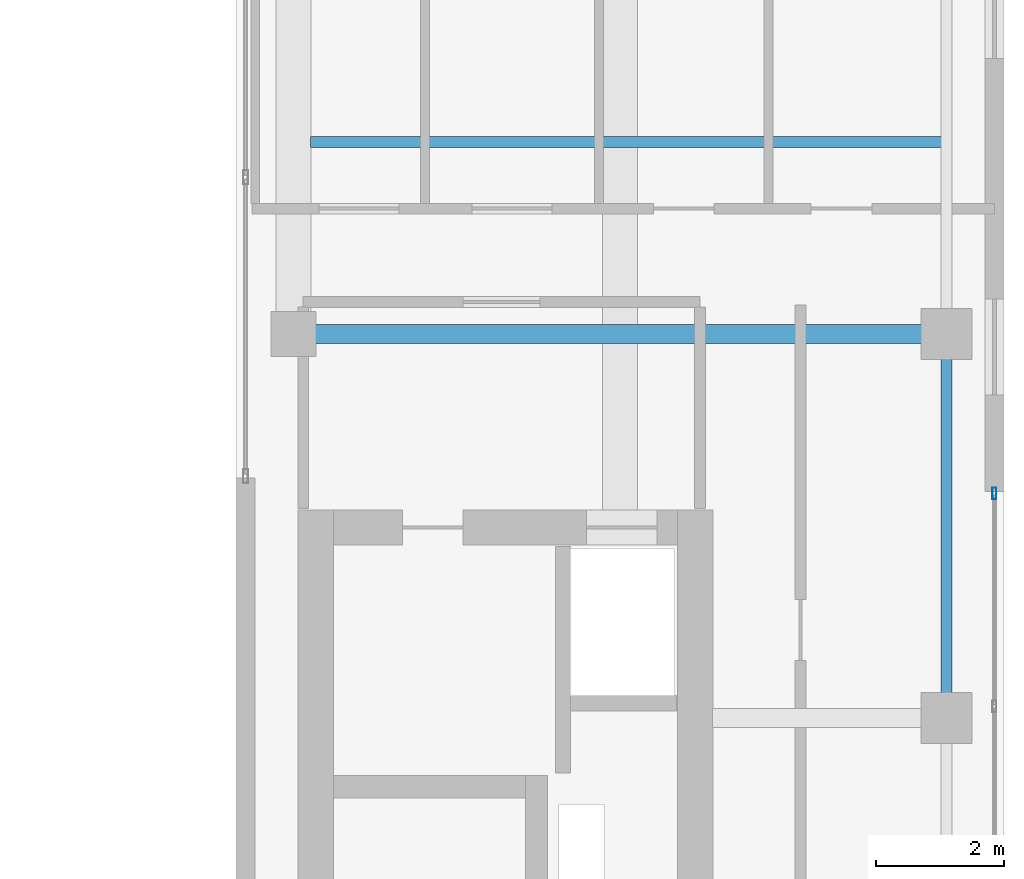
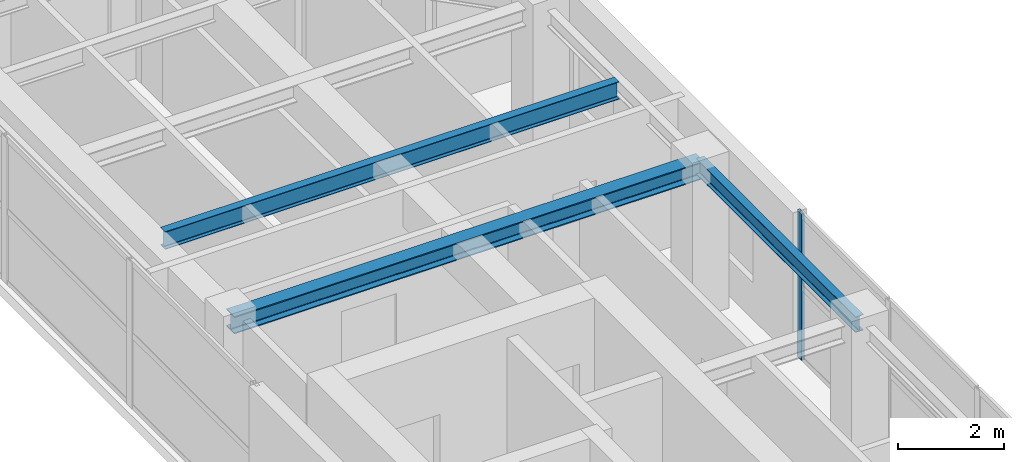
# One storey, part 12 of 22: 3 beams, 1 member, 1 element without a shape of its own.
"""IFC4 building model written with IfcOpenShell, lengths in metres."""

import ifcopenshell
import ifcopenshell.guid

model = None  # the IFC model being written
_history = None  # IfcOwnerHistory: only IFC2X3 demands one
_inside = {}  # id of a spatial element -> (the spatial element, [elements in it])
_under = {}  # id of a project, library or spatial element -> (it, [spatial elements below it])
_declared = {}  # id of a project -> (the project, [libraries it declares])
_typed = {}  # id of a type object -> (the type object, [elements of that type])
_made_of = {}  # id of a material, layer set ... -> (it, [elements and type objects made of it])


def new_model(schema):
    """Start an empty IFC model of exactly this schema.

    Asked for "IFC4X3", IfcOpenShell would pick the latest addendum, in which some entities
    have other attributes; the version numbers below select the first issue.
    IFC2X3 requires an IfcOwnerHistory on every rooted entity: one is made here for all.
    """
    global model, _history
    if schema == "IFC4X3":
        model = ifcopenshell.file(schema_version=(4, 3, 0, 0))
    else:
        model = ifcopenshell.file(schema=schema)
    _inside.clear()
    _under.clear()
    _declared.clear()
    _typed.clear()
    _made_of.clear()
    _history = None
    if model.schema == "IFC2X3":
        org = make("IfcOrganization", Name="unknown")
        user = make(
            "IfcPersonAndOrganization",
            ThePerson=make("IfcPerson", FamilyName="unknown"),
            TheOrganization=org,
        )
        app = make(
            "IfcApplication",
            ApplicationDeveloper=org,
            Version="unknown",
            ApplicationFullName="unknown",
            ApplicationIdentifier="unknown",
        )
        _history = make(
            "IfcOwnerHistory",
            OwningUser=user,
            OwningApplication=app,
            ChangeAction="ADDED",
            CreationDate=0,
        )
    return model


def make(cls, **values):
    """One entity of the class cls with the attributes given. An attribute that is None is left unset."""
    return model.create_entity(
        cls, **{name: value for name, value in values.items() if value is not None}
    )


def rooted(cls, **values):
    """An entity with a GlobalId (a new one), such as an element, a storey or a relation."""
    return make(cls, GlobalId=ifcopenshell.guid.new(), OwnerHistory=_history, **values)


def si_unit(unit_type, name, prefix=None):
    """IfcSIUnit, for example si_unit("LENGTHUNIT", "METRE", prefix="MILLI")."""
    return make("IfcSIUnit", UnitType=unit_type, Prefix=prefix, Name=name)


def assignment(units):
    """IfcUnitAssignment: the units of a project."""
    return None if units is None else make("IfcUnitAssignment", Units=units)


def point(xyz):
    """IfcCartesianPoint."""
    return None if xyz is None else make("IfcCartesianPoint", Coordinates=xyz)


def direction(xyz):
    """IfcDirection."""
    return None if xyz is None else make("IfcDirection", DirectionRatios=xyz)


def frame(location, z_axis=None, x_axis=None):
    """IfcAxis2Placement3D, a coordinate frame: its origin and axes. An axis left out is left unset."""
    return make(
        "IfcAxis2Placement3D",
        Location=point(location),
        Axis=direction(z_axis),
        RefDirection=direction(x_axis),
    )


def frame_2d(location, x_axis=None):
    """IfcAxis2Placement2D, a coordinate frame in the plane: its origin and x axis."""
    return make(
        "IfcAxis2Placement2D", Location=point(location), RefDirection=direction(x_axis)
    )


def origin():
    """The frame at (0, 0, 0) with its axes left unset."""
    return frame((0.0, 0.0, 0.0))


def origin_2d():
    """The frame at (0, 0) in the plane with its x axis left unset."""
    return frame_2d((0.0, 0.0))


def place(relative_to, where):
    """IfcLocalPlacement: puts the frame where relative to a parent placement (None: the world)."""
    return make(
        "IfcLocalPlacement", PlacementRelTo=relative_to, RelativePlacement=where
    )


def context(
    kind, dimensions, precision=None, world=None, true_north=None, identifier=None
):
    """IfcGeometricRepresentationContext, for example the 3D "Model" context."""
    return make(
        "IfcGeometricRepresentationContext",
        ContextIdentifier=identifier,
        ContextType=kind,
        CoordinateSpaceDimension=dimensions,
        Precision=precision,
        WorldCoordinateSystem=world,
        TrueNorth=true_north,
    )


def subcontext(parent, identifier, kind, view, scale=None):
    """IfcGeometricRepresentationSubContext, for example "Body" below "Model"."""
    return make(
        "IfcGeometricRepresentationSubContext",
        ContextIdentifier=identifier,
        ContextType=kind,
        ParentContext=parent,
        TargetScale=scale,
        TargetView=view,
    )


def project(units=None, contexts=None):
    """IfcProject with its units and contexts."""
    return rooted(
        "IfcProject",
        Name="project",
        RepresentationContexts=contexts,
        UnitsInContext=assignment(units),
    )


def spatial(cls, under=None, at=None, **own):
    """A site, building, storey or space (cls), placed at a placement, below another one or the project."""
    s = rooted(cls, ObjectPlacement=at, **own)
    if under is not None:
        _under.setdefault(under.id(), (under, []))[1].append(s)
    return s


def profile(cls, at=None, kind="AREA", **sizes):
    """A parametric profile (cls). Its sizes go by their IFC names, for example OverallWidth=200.0."""
    return make(cls, ProfileType=kind, Position=at, **sizes)


def hollow_rectangle(**sizes):
    """IfcRectangleHollowProfileDef."""
    return profile("IfcRectangleHollowProfileDef", **sizes)


def i_section(**sizes):
    """IfcIShapeProfileDef."""
    return profile("IfcIShapeProfileDef", **sizes)


def extrude(swept, where, along, depth):
    """IfcExtrudedAreaSolid: the profile swept, set in the frame where, extruded along a direction by depth."""
    return make(
        "IfcExtrudedAreaSolid",
        SweptArea=swept,
        Position=where,
        ExtrudedDirection=direction(along),
        Depth=depth,
    )


def shape(context_of_items, identifier, shape_type, items):
    """IfcShapeRepresentation: the items that make up one representation, for example the "Body"."""
    return make(
        "IfcShapeRepresentation",
        ContextOfItems=context_of_items,
        RepresentationIdentifier=identifier,
        RepresentationType=shape_type,
        Items=items,
    )


def source(mapping_origin, context_of_items, identifier, shape_type, items):
    """IfcRepresentationMap: a shape defined once, which mapped items show again and again."""
    return make(
        "IfcRepresentationMap",
        MappingOrigin=mapping_origin,
        MappedRepresentation=shape(context_of_items, identifier, shape_type, items),
    )


def transform(
    local_origin,
    x_axis=None,
    y_axis=None,
    z_axis=None,
    scale=None,
    scale2=None,
    scale3=None,
    uniform=True,
):
    """IfcCartesianTransformationOperator3D, or its non-uniform kind. x_axis, y_axis, z_axis: its Axis1, 2, 3."""
    if uniform:
        return make(
            "IfcCartesianTransformationOperator3D",
            Axis1=direction(x_axis),
            Axis2=direction(y_axis),
            LocalOrigin=point(local_origin),
            Scale=scale,
            Axis3=direction(z_axis),
        )
    return make(
        "IfcCartesianTransformationOperator3DnonUniform",
        Axis1=direction(x_axis),
        Axis2=direction(y_axis),
        LocalOrigin=point(local_origin),
        Scale=scale,
        Axis3=direction(z_axis),
        Scale2=scale2,
        Scale3=scale3,
    )


def mapped(mapping_source, mapping_target):
    """IfcMappedItem: shows the shape of a source again, moved by a transform."""
    return make(
        "IfcMappedItem", MappingSource=mapping_source, MappingTarget=mapping_target
    )


def material(Name=None, Category=None):
    """IfcMaterial."""
    return make("IfcMaterial", Name=Name, Category=Category)


def layer(
    of_material, thickness, ventilated=None, Name=None, Category=None, Priority=None
):
    """IfcMaterialLayer: one layer of a wall or slab, of a material (None: an air gap)."""
    return make(
        "IfcMaterialLayer",
        Material=of_material,
        LayerThickness=thickness,
        IsVentilated=ventilated,
        Name=Name,
        Category=Category,
        Priority=Priority,
    )


def layer_set(layers, Name=None):
    """IfcMaterialLayerSet."""
    return make("IfcMaterialLayerSet", MaterialLayers=layers, LayerSetName=Name)


def material_profile(
    of_material, cross_section, Name=None, Category=None, Priority=None
):
    """IfcMaterialProfile: a cross section and its material."""
    return make(
        "IfcMaterialProfile",
        Name=Name,
        Material=of_material,
        Profile=cross_section,
        Priority=Priority,
        Category=Category,
    )


def profile_set(profiles, Name=None, composite=None):
    """IfcMaterialProfileSet."""
    return make(
        "IfcMaterialProfileSet",
        Name=Name,
        MaterialProfiles=profiles,
        CompositeProfile=composite,
    )


def made_of(thing, what):
    """Note that an element or type object is made of a material, layer set ...; save() writes the relation."""
    if what is not None:
        _made_of.setdefault(what.id(), (what, []))[1].append(thing)
    return thing


def type_object(cls, material=None, **own):
    """A type object (cls), such as IfcWallType, which elements share."""
    return made_of(rooted(cls, **own), material)


def element(
    cls,
    number,
    at=None,
    inside=None,
    cuts=None,
    type_object=None,
    material=None,
    context=None,
    identifier="Body",
    shape_type=None,
    held_by="IfcProductDefinitionShape",
    body=None,
    shapes=None,
    **own,
):
    """One element of the class cls, such as IfcWall. Its Tag is "e" and its number.

    at: its placement. inside: the storey or other place that contains it. cuts: it is an
    opening in that element (IfcRelVoidsElement). A single representation is given by context,
    identifier, shape_type and body (its items); several are given by shapes. held_by: the class
    of the entity that holds the representations. save() writes the other relations.
    """
    e = rooted(cls, Tag="e%d" % number, ObjectPlacement=at, **own)
    if body is not None:
        shapes = [shape(context, identifier, shape_type, body)]
    if shapes is not None:
        e.Representation = make(held_by, Representations=shapes)
    if inside is not None:
        _inside.setdefault(inside.id(), (inside, []))[1].append(e)
    if cuts is not None:
        rooted(
            "IfcRelVoidsElement", RelatingBuildingElement=cuts, RelatedOpeningElement=e
        )
    if type_object is not None:
        _typed.setdefault(type_object.id(), (type_object, []))[1].append(e)
    return made_of(e, material)


def aggregate(whole, parts):
    """IfcRelAggregates: a whole, such as a stair, and the parts it consists of."""
    return rooted("IfcRelAggregates", RelatingObject=whole, RelatedObjects=parts)


def save(model, path):
    """Write the relations noted so far, then the file.

    IfcRelAggregates (storeys below a building ...), IfcRelContainedInSpatialStructure (elements
    in a storey), IfcRelDefinesByType, IfcRelAssociatesMaterial and IfcRelDeclares: one each for
    every whole, place, type object, material and project.
    """
    for whole, parts in _under.values():
        aggregate(whole, parts)
    for where, things in _inside.values():
        rooted(
            "IfcRelContainedInSpatialStructure",
            RelatedElements=things,
            RelatingStructure=where,
        )
    for kind, things in _typed.values():
        rooted("IfcRelDefinesByType", RelatedObjects=things, RelatingType=kind)
    for what, things in _made_of.values():
        rooted("IfcRelAssociatesMaterial", RelatedObjects=things, RelatingMaterial=what)
    for by, libraries in _declared.values():
        rooted("IfcRelDeclares", RelatingContext=by, RelatedDefinitions=libraries)
    model.write(path)


model = new_model("IFC4")

# Units and contexts
model_context = context("Model", 3, precision=1e-05, world=origin(), true_north=direction((0.0, 1.0)))
body_context = subcontext(model_context, "Body", "Model", "MODEL_VIEW")
ifc_project = project(units=[si_unit("LENGTHUNIT", "METRE"), si_unit("AREAUNIT", "SQUARE_METRE"), si_unit("VOLUMEUNIT", "CUBIC_METRE"), si_unit("PLANEANGLEUNIT", "RADIAN"), si_unit("MASSUNIT", "GRAM", prefix="KILO")], contexts=[model_context])

# Site, building, storey
site_placement = place(None, origin())
site = spatial("IfcSite", under=ifc_project, at=site_placement, CompositionType="ELEMENT")
building_placement = place(site_placement, origin())
building = spatial("IfcBuilding", under=site, at=building_placement, Name="Khoralis Quay Care Tower", CompositionType="ELEMENT")
storey_placement = place(building_placement, frame((0.0, 0.0, 260.10009765625)))
storey = spatial("IfcBuildingStorey", under=building, at=storey_placement, Name="L68", CompositionType="ELEMENT", Elevation=260.10009765625)

# Beams
ifc_material_1 = material(Name="Steel S355", Category="steel")
ifc_material_profile_1 = material_profile(ifc_material_1, i_section(OverallWidth=0.169921875, OverallDepth=0.360107421875, WebThickness=0.008056640625, FlangeThickness=0.0126953125, FilletRadius=0.01806640625, at=origin_2d()), Name="Steel S355")
ifc_profile_set_1 = profile_set([ifc_material_profile_1], Name="Steel S355")
beam_type_1 = type_object("IfcBeamType", Name="BM-IPE360", PredefinedType="SPANDREL", material=ifc_profile_set_1)
shared_shape_1 = source(origin(), body_context, "Body", "SweptSolid", [
    extrude(i_section(OverallWidth=0.169921875, OverallDepth=0.360107421875, WebThickness=0.008056640625, FlangeThickness=0.0126953125, FilletRadius=0.01806640625, at=origin_2d()), origin(), (0.0, 0.0, 1.0), 6.0),
])
beam_1_placement = place(storey_placement, frame((41.10009765625, 24.0, 3.179931640625), z_axis=(0.0, 1.0, 0.0), x_axis=(-1.0, 0.0, 0.0)))
element("IfcBeam", 1, at=beam_1_placement, inside=storey, type_object=beam_type_1, Name="BM-TSP-L68-11", PredefinedType="SPANDREL", context=body_context, shape_type="MappedRepresentation", body=[
    mapped(shared_shape_1, transform((0.0, 0.0, 0.0), scale=1.0)),
])
ifc_material_profile_2 = material_profile(ifc_material_1, i_section(OverallWidth=0.300048828125, OverallDepth=0.39990234375, WebThickness=0.013427734375, FlangeThickness=0.02392578125, FilletRadius=0.027099609375, at=origin_2d()), Name="Steel S355")
ifc_profile_set_2 = profile_set([ifc_material_profile_2], Name="Steel S355")
beam_type_2 = type_object("IfcBeamType", Name="BM-HEB400", PredefinedType="BEAM", material=ifc_profile_set_2)
shared_shape_2 = source(origin(), body_context, "Body", "SweptSolid", [
    extrude(i_section(OverallWidth=0.300048828125, OverallDepth=0.39990234375, WebThickness=0.013427734375, FlangeThickness=0.02392578125, FilletRadius=0.027099609375, at=origin_2d()), origin(), (0.0, 0.0, 1.0), 10.2001953125),
])
beam_2_placement = place(storey_placement, frame((30.89990234375, 30.0, 3.159912109375), z_axis=(1.0, 0.0, 0.0), x_axis=(0.0, 1.0, 0.0)))
element("IfcBeam", 2, at=beam_2_placement, inside=storey, type_object=beam_type_2, Name="BM-TGXE-L68-300", PredefinedType="BEAM", context=body_context, shape_type="MappedRepresentation", body=[
    mapped(shared_shape_2, transform((0.0, 0.0, 0.0), scale=1.0)),
])
ifc_material_profile_3 = material_profile(ifc_material_1, i_section(OverallWidth=0.177978515625, OverallDepth=0.406982421875, WebThickness=0.0078125, FlangeThickness=0.0126953125, FilletRadius=0.012939453125, at=origin_2d()), Name="Steel S355")
ifc_profile_set_3 = profile_set([ifc_material_profile_3], Name="Steel S355")
beam_type_3 = type_object("IfcBeamType", Name="BM-W410X60", PredefinedType="JOIST", material=ifc_profile_set_3)
shared_shape_3 = source(origin(), body_context, "Body", "SweptSolid", [
    extrude(i_section(OverallWidth=0.177978515625, OverallDepth=0.406982421875, WebThickness=0.0078125, FlangeThickness=0.0126953125, FilletRadius=0.012939453125, at=origin_2d()), origin(), (0.0, 0.0, 1.0), 9.865966796875),
])
beam_3_placement = place(storey_placement, frame((31.1630859375, 33.0, 3.156494140625), z_axis=(1.0, 0.0, 0.0), x_axis=(0.0, 1.0, 0.0)))
element("IfcBeam", 3, at=beam_3_placement, inside=storey, type_object=beam_type_3, Name="BM-TJS-L68-20", PredefinedType="JOIST", context=body_context, shape_type="MappedRepresentation", body=[
    mapped(shared_shape_3, transform((0.0, 0.0, 0.0), scale=1.0)),
])

# Curtain wall, member
ifc_material_2 = material(Name="Pale anodised aluminium", Category="aluminium")
ifc_layer = layer(ifc_material_2, 0.159912109375)
ifc_layer_set = layer_set([ifc_layer], Name="Pale anodised aluminium")
curtain_wall_type = type_object("IfcCurtainWallType", Name="CW-SYS-Z3", PredefinedType="NOTDEFINED", material=ifc_layer_set)
curtain_wall_placement = place(storey_placement, origin())
curtain_wall = element("IfcCurtainWall", 4, at=curtain_wall_placement, inside=storey, type_object=curtain_wall_type, Name="L68 Unitised Curtain Wall CW-L68-P2-E5", PredefinedType="NOTDEFINED")
ifc_material_profile_4 = material_profile(ifc_material_2, hollow_rectangle(XDim=0.06494140625, YDim=0.179931640625, WallThickness=0.00390625, at=origin_2d()), Name="Pale anodised aluminium")
ifc_profile_set_4 = profile_set([ifc_material_profile_4], Name="Pale anodised aluminium")
member_type = type_object("IfcMemberType", Name="CW-MUL-180", PredefinedType="MULLION", material=ifc_profile_set_4)
shared_shape_4 = source(origin(), body_context, "Body", "SweptSolid", [
    extrude(hollow_rectangle(XDim=0.06494140625, YDim=0.179931640625, WallThickness=0.00390625, at=origin_2d()), origin(), (0.0, 0.0, 1.0), 3.35986328125),
])
member_placement = place(storey_placement, frame((41.85009765625, 27.510009765625, 0.0), z_axis=(0.0, 0.0, 1.0), x_axis=(-1.0, 0.0, 0.0)))
member = element("IfcMember", 5, at=member_placement, type_object=member_type, Name="CW3 mullion 4", PredefinedType="MULLION", context=body_context, shape_type="MappedRepresentation", body=[
    mapped(shared_shape_4, transform((0.0, 0.0, 0.0), scale=1.0)),
])
aggregate(curtain_wall, [member])

save(model, "model.ifc")
